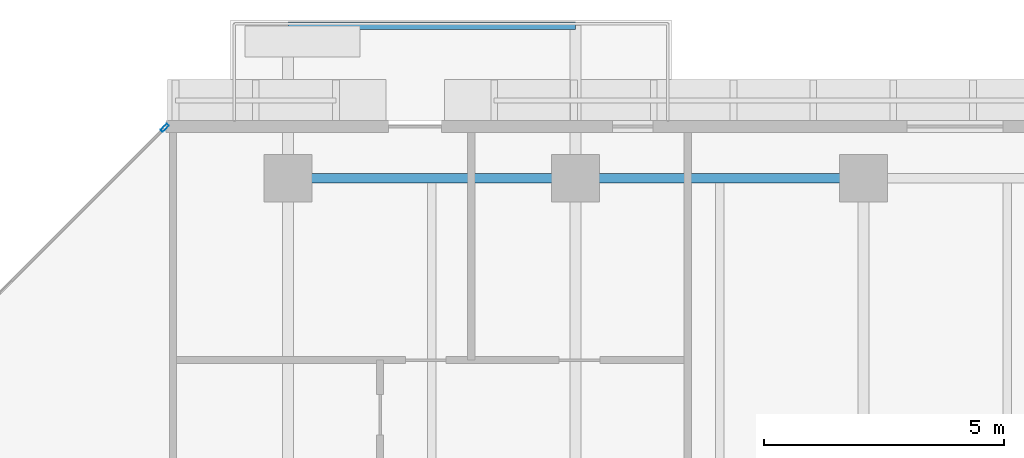
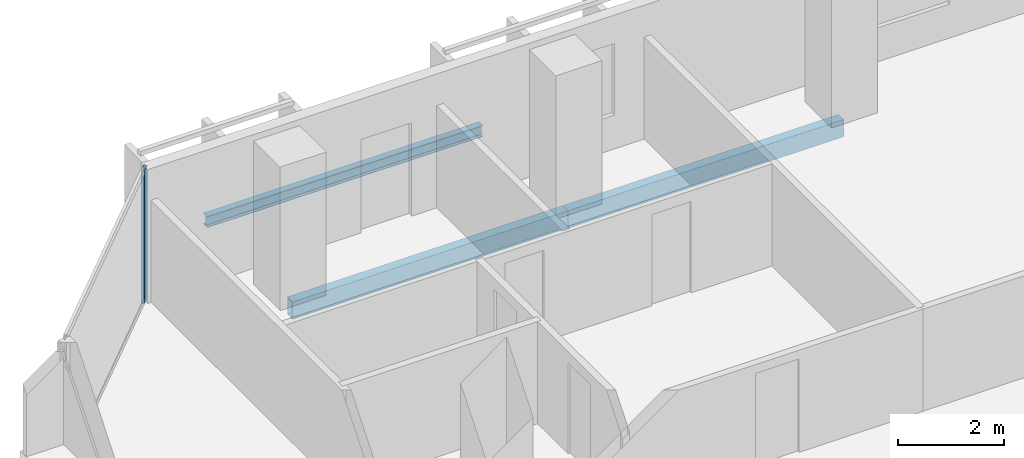
# One storey, part 11 of 35: 3 beams, 1 member, 1 element without a shape of its own.
"""IFC4 building model written with IfcOpenShell, lengths in metres."""

from ifc_helpers import new_model, si_unit, direction, frame, origin, origin_2d, place, context, subcontext, project, spatial, hollow_rectangle, i_section, extrude, material, layer, layer_set, material_profile, profile_set, type_object, element, aggregate, save


model = new_model("IFC4")

# Units and contexts
model_context = context("Model", 3, precision=1e-05, world=origin(), true_north=direction((0.0, 1.0)))
body_context = subcontext(model_context, "Body", "Model", "MODEL_VIEW")
ifc_project = project(units=[si_unit("LENGTHUNIT", "METRE"), si_unit("AREAUNIT", "SQUARE_METRE"), si_unit("VOLUMEUNIT", "CUBIC_METRE"), si_unit("PLANEANGLEUNIT", "RADIAN"), si_unit("MASSUNIT", "GRAM", prefix="KILO")], contexts=[model_context])

# Site, building, storey
site_placement = place(None, origin())
site = spatial("IfcSite", under=ifc_project, at=site_placement, CompositionType="ELEMENT")
building_placement = place(site_placement, origin())
building = spatial("IfcBuilding", under=site, at=building_placement, Name="Tanjung Sevakor Pilgrim Tower", CompositionType="ELEMENT")
storey_placement = place(building_placement, frame((0.0, 0.0, 92.070068359375)))
storey = spatial("IfcBuildingStorey", under=building, at=storey_placement, Name="L25", CompositionType="ELEMENT", Elevation=92.070068359375)

# Beams
ifc_material_1 = material(Name="Steel S355J2", Category="steel")
ifc_material_profile_1 = material_profile(ifc_material_1, i_section(OverallWidth=0.146484375, OverallDepth=0.256103515625, WebThickness=0.00634765625, FlangeThickness=0.010986328125, FilletRadius=0.007568359375, at=origin_2d()))
ifc_profile_set_1 = profile_set([ifc_material_profile_1], Name="Steel S355J2")
beam_type_1 = type_object("IfcBeamType", Name="BM-B-J6-UB_254x146x37", PredefinedType="JOIST", material=ifc_profile_set_1)
beam_placement = place(storey_placement, frame((24.0, 59.580078125, -0.328125), z_axis=(1.0, 0.0, 0.0), x_axis=(0.0, 1.0, 0.0)))
element("IfcBeam", 1, at=beam_placement, inside=storey, type_object=beam_type_1, Name="L25 Balcony Rim Tie MAIN-N1", PredefinedType="JOIST", context=body_context, shape_type="SweptSolid", body=[
    extrude(i_section(OverallWidth=0.146484375, OverallDepth=0.256103515625, WebThickness=0.00634765625, FlangeThickness=0.010986328125, FilletRadius=0.007568359375, at=origin_2d()), origin(), (0.0, 0.0, 1.0), 6.0),
])
ifc_material_2 = material(Name="Steel S355J2", Category="steel")
ifc_material_profile_2 = material_profile(ifc_material_2, hollow_rectangle(XDim=0.199951171875, YDim=0.39990234375, WallThickness=0.01611328125, at=origin_2d()))
ifc_profile_set_2 = profile_set([ifc_material_profile_2], Name="Steel S355J2")
beam_type_2 = type_object("IfcBeamType", Name="BM-B-SP2-RHS_400x200x16", PredefinedType="SPANDREL", material=ifc_profile_set_2)
for number, where, z_axis, x_axis, name in (
    (2, (24.0, 56.39990234375, -0.420166015625), (1.0, 0.0, 0.0), (0.0, 1.0, 0.0), "L25 Spandrel MAIN N-02"),
    (3, (30.0, 56.39990234375, -0.420166015625), (1.0, 0.0, 0.0), (0.0, 1.0, 0.0), "L25 Spandrel MAIN N-04"),
):
    element("IfcBeam", number, at=place(storey_placement, frame(where, z_axis=z_axis, x_axis=x_axis)), inside=storey, type_object=beam_type_2, Name=name, PredefinedType="SPANDREL", context=body_context, shape_type="SweptSolid", body=[
        extrude(hollow_rectangle(XDim=0.199951171875, YDim=0.39990234375, WallThickness=0.01611328125, at=origin_2d()), origin(), (0.0, 0.0, 1.0), 6.0),
    ])

# Curtain wall, member
ifc_material_3 = material(Name="Aluminium 6063-T6 and Low-E Glass", Category="aluminium")
ifc_layer = layer(ifc_material_3, 0.179931640625)
ifc_layer_set = layer_set([ifc_layer], Name="CW-SYS-CHAM")
curtain_wall_type = type_object("IfcCurtainWallType", Name="CW-SYS-CHAM", PredefinedType="NOTDEFINED", material=ifc_layer_set)
curtain_wall_placement = place(storey_placement, origin())
curtain_wall = element("IfcCurtainWall", 4, at=curtain_wall_placement, inside=storey, type_object=curtain_wall_type, Name="L25 Curtain Wall CW-CHM-L25-MAIN-13", PredefinedType="NOTDEFINED")
ifc_material_4 = material(Name="Aluminium 6063-T6", Category="aluminium")
ifc_material_profile_3 = material_profile(ifc_material_4, hollow_rectangle(XDim=0.06494140625, YDim=0.179931640625, WallThickness=0.00390625, at=origin_2d()))
ifc_profile_set_3 = profile_set([ifc_material_profile_3], Name="Aluminium 6063-T6")
member_type = type_object("IfcMemberType", Name="TYPE-CWM-1", PredefinedType="MULLION", material=ifc_profile_set_3)
member_placement = place(storey_placement, frame((21.4287109375, 57.451904296875, 0.0), z_axis=(0.0, 0.0, 1.0), x_axis=(0.707106781187, -0.707106781187, 0.0)))
member = element("IfcMember", 5, at=member_placement, type_object=member_type, Name="CW-CHM mullion 1", PredefinedType="MULLION", context=body_context, shape_type="SweptSolid", body=[
    extrude(hollow_rectangle(XDim=0.06494140625, YDim=0.179931640625, WallThickness=0.00390625, at=origin_2d()), origin(), (0.0, 0.0, 1.0), 3.079833984375),
])
aggregate(curtain_wall, [member])

save(model, "model.ifc")
